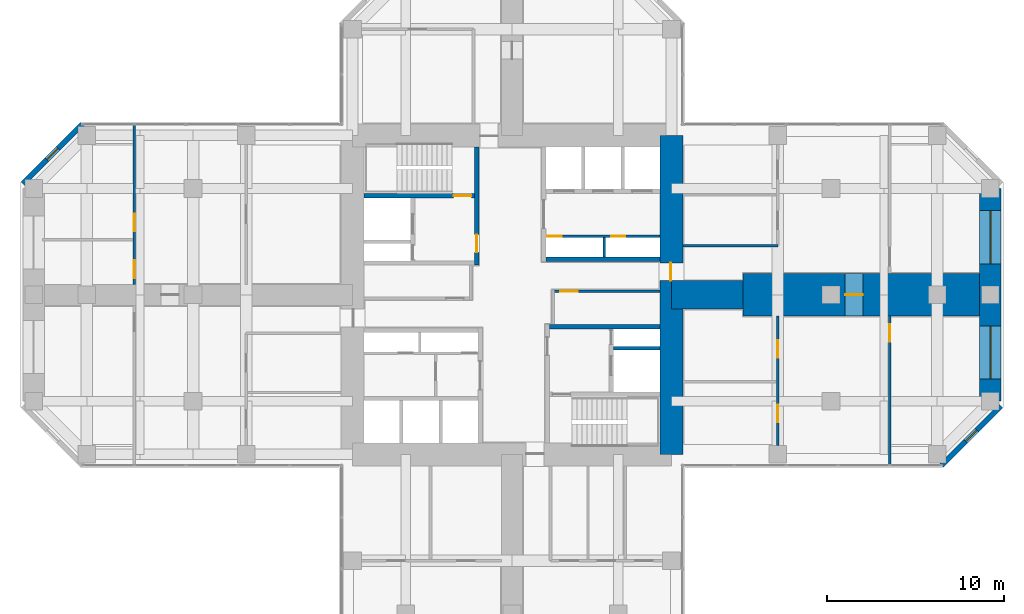
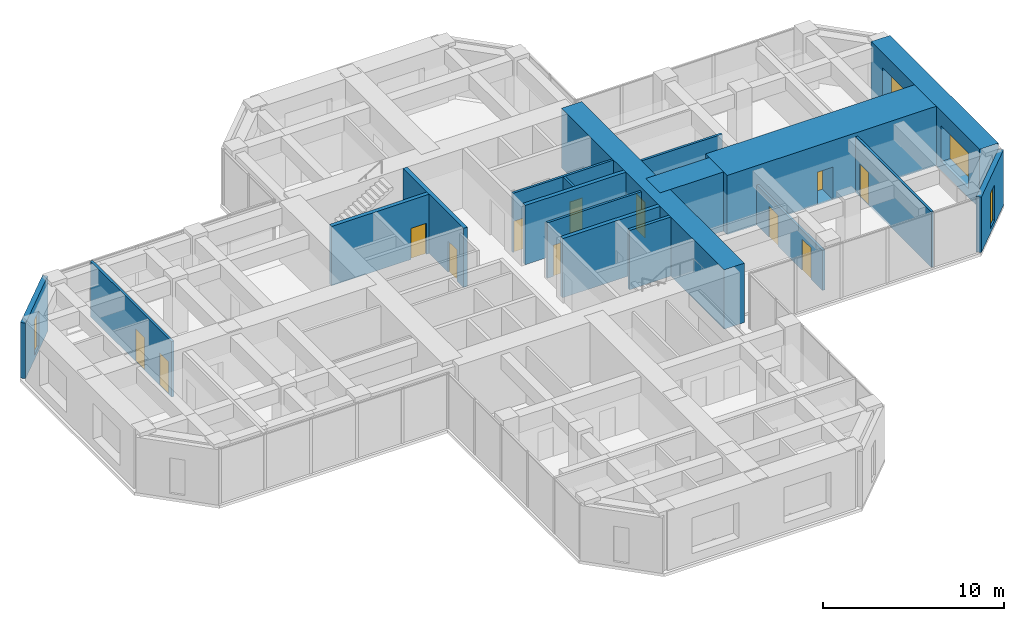
# One storey, part 10 of 13: 18 walls, 12 doors, 4 windows, 16 openings.
"""IFC4 building model written with IfcOpenShell, lengths in metres."""

import ifcopenshell
import ifcopenshell.guid

model = None  # the IFC model being written
_history = None  # IfcOwnerHistory: only IFC2X3 demands one
_inside = {}  # id of a spatial element -> (the spatial element, [elements in it])
_under = {}  # id of a project, library or spatial element -> (it, [spatial elements below it])
_declared = {}  # id of a project -> (the project, [libraries it declares])
_typed = {}  # id of a type object -> (the type object, [elements of that type])
_made_of = {}  # id of a material, layer set ... -> (it, [elements and type objects made of it])


def new_model(schema):
    """Start an empty IFC model of exactly this schema.

    Asked for "IFC4X3", IfcOpenShell would pick the latest addendum, in which some entities
    have other attributes; the version numbers below select the first issue.
    IFC2X3 requires an IfcOwnerHistory on every rooted entity: one is made here for all.
    """
    global model, _history
    if schema == "IFC4X3":
        model = ifcopenshell.file(schema_version=(4, 3, 0, 0))
    else:
        model = ifcopenshell.file(schema=schema)
    _inside.clear()
    _under.clear()
    _declared.clear()
    _typed.clear()
    _made_of.clear()
    _history = None
    if model.schema == "IFC2X3":
        org = make("IfcOrganization", Name="unknown")
        user = make(
            "IfcPersonAndOrganization",
            ThePerson=make("IfcPerson", FamilyName="unknown"),
            TheOrganization=org,
        )
        app = make(
            "IfcApplication",
            ApplicationDeveloper=org,
            Version="unknown",
            ApplicationFullName="unknown",
            ApplicationIdentifier="unknown",
        )
        _history = make(
            "IfcOwnerHistory",
            OwningUser=user,
            OwningApplication=app,
            ChangeAction="ADDED",
            CreationDate=0,
        )
    return model


def make(cls, **values):
    """One entity of the class cls with the attributes given. An attribute that is None is left unset."""
    return model.create_entity(
        cls, **{name: value for name, value in values.items() if value is not None}
    )


def rooted(cls, **values):
    """An entity with a GlobalId (a new one), such as an element, a storey or a relation."""
    return make(cls, GlobalId=ifcopenshell.guid.new(), OwnerHistory=_history, **values)


def si_unit(unit_type, name, prefix=None):
    """IfcSIUnit, for example si_unit("LENGTHUNIT", "METRE", prefix="MILLI")."""
    return make("IfcSIUnit", UnitType=unit_type, Prefix=prefix, Name=name)


def assignment(units):
    """IfcUnitAssignment: the units of a project."""
    return None if units is None else make("IfcUnitAssignment", Units=units)


def point(xyz):
    """IfcCartesianPoint."""
    return None if xyz is None else make("IfcCartesianPoint", Coordinates=xyz)


def direction(xyz):
    """IfcDirection."""
    return None if xyz is None else make("IfcDirection", DirectionRatios=xyz)


def frame(location, z_axis=None, x_axis=None):
    """IfcAxis2Placement3D, a coordinate frame: its origin and axes. An axis left out is left unset."""
    return make(
        "IfcAxis2Placement3D",
        Location=point(location),
        Axis=direction(z_axis),
        RefDirection=direction(x_axis),
    )


def frame_2d(location, x_axis=None):
    """IfcAxis2Placement2D, a coordinate frame in the plane: its origin and x axis."""
    return make(
        "IfcAxis2Placement2D", Location=point(location), RefDirection=direction(x_axis)
    )


def origin():
    """The frame at (0, 0, 0) with its axes left unset."""
    return frame((0.0, 0.0, 0.0))


def place(relative_to, where):
    """IfcLocalPlacement: puts the frame where relative to a parent placement (None: the world)."""
    return make(
        "IfcLocalPlacement", PlacementRelTo=relative_to, RelativePlacement=where
    )


def context(
    kind, dimensions, precision=None, world=None, true_north=None, identifier=None
):
    """IfcGeometricRepresentationContext, for example the 3D "Model" context."""
    return make(
        "IfcGeometricRepresentationContext",
        ContextIdentifier=identifier,
        ContextType=kind,
        CoordinateSpaceDimension=dimensions,
        Precision=precision,
        WorldCoordinateSystem=world,
        TrueNorth=true_north,
    )


def subcontext(parent, identifier, kind, view, scale=None):
    """IfcGeometricRepresentationSubContext, for example "Body" below "Model"."""
    return make(
        "IfcGeometricRepresentationSubContext",
        ContextIdentifier=identifier,
        ContextType=kind,
        ParentContext=parent,
        TargetScale=scale,
        TargetView=view,
    )


def project(units=None, contexts=None):
    """IfcProject with its units and contexts."""
    return rooted(
        "IfcProject",
        Name="project",
        RepresentationContexts=contexts,
        UnitsInContext=assignment(units),
    )


def spatial(cls, under=None, at=None, **own):
    """A site, building, storey or space (cls), placed at a placement, below another one or the project."""
    s = rooted(cls, ObjectPlacement=at, **own)
    if under is not None:
        _under.setdefault(under.id(), (under, []))[1].append(s)
    return s


def profile(cls, at=None, kind="AREA", **sizes):
    """A parametric profile (cls). Its sizes go by their IFC names, for example OverallWidth=200.0."""
    return make(cls, ProfileType=kind, Position=at, **sizes)


def rectangle(**sizes):
    """IfcRectangleProfileDef."""
    return profile("IfcRectangleProfileDef", **sizes)


def hollow_rectangle(**sizes):
    """IfcRectangleHollowProfileDef."""
    return profile("IfcRectangleHollowProfileDef", **sizes)


def extrude(swept, where, along, depth):
    """IfcExtrudedAreaSolid: the profile swept, set in the frame where, extruded along a direction by depth."""
    return make(
        "IfcExtrudedAreaSolid",
        SweptArea=swept,
        Position=where,
        ExtrudedDirection=direction(along),
        Depth=depth,
    )


def shape(context_of_items, identifier, shape_type, items):
    """IfcShapeRepresentation: the items that make up one representation, for example the "Body"."""
    return make(
        "IfcShapeRepresentation",
        ContextOfItems=context_of_items,
        RepresentationIdentifier=identifier,
        RepresentationType=shape_type,
        Items=items,
    )


def material(Name=None, Category=None):
    """IfcMaterial."""
    return make("IfcMaterial", Name=Name, Category=Category)


def layer(
    of_material, thickness, ventilated=None, Name=None, Category=None, Priority=None
):
    """IfcMaterialLayer: one layer of a wall or slab, of a material (None: an air gap)."""
    return make(
        "IfcMaterialLayer",
        Material=of_material,
        LayerThickness=thickness,
        IsVentilated=ventilated,
        Name=Name,
        Category=Category,
        Priority=Priority,
    )


def layer_set(layers, Name=None):
    """IfcMaterialLayerSet."""
    return make("IfcMaterialLayerSet", MaterialLayers=layers, LayerSetName=Name)


def constituent(of_material, Name=None, Category=None, fraction=None):
    """IfcMaterialConstituent: one of the materials an element consists of."""
    return make(
        "IfcMaterialConstituent",
        Name=Name,
        Material=of_material,
        Fraction=fraction,
        Category=Category,
    )


def constituent_set(constituents=None, Name=None):
    """IfcMaterialConstituentSet."""
    return make(
        "IfcMaterialConstituentSet", Name=Name, MaterialConstituents=constituents
    )


def made_of(thing, what):
    """Note that an element or type object is made of a material, layer set ...; save() writes the relation."""
    if what is not None:
        _made_of.setdefault(what.id(), (what, []))[1].append(thing)
    return thing


def type_object(cls, material=None, **own):
    """A type object (cls), such as IfcWallType, which elements share."""
    return made_of(rooted(cls, **own), material)


def element(
    cls,
    number,
    at=None,
    inside=None,
    cuts=None,
    type_object=None,
    material=None,
    context=None,
    identifier="Body",
    shape_type=None,
    held_by="IfcProductDefinitionShape",
    body=None,
    shapes=None,
    **own,
):
    """One element of the class cls, such as IfcWall. Its Tag is "e" and its number.

    at: its placement. inside: the storey or other place that contains it. cuts: it is an
    opening in that element (IfcRelVoidsElement). A single representation is given by context,
    identifier, shape_type and body (its items); several are given by shapes. held_by: the class
    of the entity that holds the representations. save() writes the other relations.
    """
    e = rooted(cls, Tag="e%d" % number, ObjectPlacement=at, **own)
    if body is not None:
        shapes = [shape(context, identifier, shape_type, body)]
    if shapes is not None:
        e.Representation = make(held_by, Representations=shapes)
    if inside is not None:
        _inside.setdefault(inside.id(), (inside, []))[1].append(e)
    if cuts is not None:
        rooted(
            "IfcRelVoidsElement", RelatingBuildingElement=cuts, RelatedOpeningElement=e
        )
    if type_object is not None:
        _typed.setdefault(type_object.id(), (type_object, []))[1].append(e)
    return made_of(e, material)


def fill(opening, filler):
    """IfcRelFillsElement: the door or window that sits in an opening."""
    return rooted(
        "IfcRelFillsElement",
        RelatingOpeningElement=opening,
        RelatedBuildingElement=filler,
    )


def aggregate(whole, parts):
    """IfcRelAggregates: a whole, such as a stair, and the parts it consists of."""
    return rooted("IfcRelAggregates", RelatingObject=whole, RelatedObjects=parts)


def save(model, path):
    """Write the relations noted so far, then the file.

    IfcRelAggregates (storeys below a building ...), IfcRelContainedInSpatialStructure (elements
    in a storey), IfcRelDefinesByType, IfcRelAssociatesMaterial and IfcRelDeclares: one each for
    every whole, place, type object, material and project.
    """
    for whole, parts in _under.values():
        aggregate(whole, parts)
    for where, things in _inside.values():
        rooted(
            "IfcRelContainedInSpatialStructure",
            RelatedElements=things,
            RelatingStructure=where,
        )
    for kind, things in _typed.values():
        rooted("IfcRelDefinesByType", RelatedObjects=things, RelatingType=kind)
    for what, things in _made_of.values():
        rooted("IfcRelAssociatesMaterial", RelatedObjects=things, RelatingMaterial=what)
    for by, libraries in _declared.values():
        rooted("IfcRelDeclares", RelatingContext=by, RelatedDefinitions=libraries)
    model.write(path)


model = new_model("IFC4")

# Units and contexts
model_context = context("Model", 3, precision=1e-05, world=origin(), true_north=direction((0.0, 1.0)))
body_context = subcontext(model_context, "Body", "Model", "MODEL_VIEW")
ifc_project = project(units=[si_unit("LENGTHUNIT", "METRE"), si_unit("AREAUNIT", "SQUARE_METRE"), si_unit("VOLUMEUNIT", "CUBIC_METRE"), si_unit("PLANEANGLEUNIT", "RADIAN"), si_unit("MASSUNIT", "GRAM", prefix="KILO")], contexts=[model_context])

# Site, building, storey
site_placement = place(None, origin())
site = spatial("IfcSite", under=ifc_project, at=site_placement, CompositionType="ELEMENT")
building_placement = place(site_placement, origin())
building = spatial("IfcBuilding", under=site, at=building_placement, Name="Torre Cruceta", CompositionType="ELEMENT")
storey_placement = place(building_placement, frame((0.0, 0.0, 160.5)))
storey = spatial("IfcBuildingStorey", under=building, at=storey_placement, Name="L39", CompositionType="ELEMENT", Elevation=160.5)

# Wall
ifc_material_1 = material(Name="Concrete G60 (fck 60 MPa)", Category="concrete")
ifc_layer_1 = layer(ifc_material_1, 0.25)
ifc_layer_set_1 = layer_set([ifc_layer_1], Name="Concrete G60 (fck 60 MPa)")
wall_type_1 = type_object("IfcWallType", Name="CORE INNER WALL 250 G60", PredefinedType="SHEAR", material=ifc_layer_set_1)
wall_1_placement = place(storey_placement, frame((1.925048828125, 2.0, 0.0), z_axis=(0.0, 0.0, 1.0), x_axis=(1.0, 0.0, 0.0)))
element("IfcWall", 1, at=wall_1_placement, inside=storey, type_object=wall_type_1, Name="CW4 L39 NE-CV", PredefinedType="SHEAR", context=body_context, shape_type="SweptSolid", body=[
    extrude(rectangle(XDim=6.425048828125, YDim=0.25, at=frame_2d((3.21240234375, 0.0))), origin(), (0.0, 0.0, 1.0), 4.0),
])

# Wall, opening, door
wall_2_placement = place(storey_placement, frame((-2.0, 1.675048828125, 0.0), z_axis=(0.0, 0.0, 1.0), x_axis=(0.0, 1.0, 0.0)))
wall_2 = element("IfcWall", 2, at=wall_2_placement, inside=storey, type_object=wall_type_1, Name="CW4 L39 NW-CU", PredefinedType="SHEAR", context=body_context, shape_type="SweptSolid", body=[
    extrude(rectangle(XDim=6.675048828125, YDim=0.25, at=frame_2d((3.33740234375, 0.0))), origin(), (0.0, 0.0, 1.0), 4.0),
])
opening_1_placement = place(wall_2_placement, frame((0.72509765625, 0.0, 0.0)))
opening_1 = element("IfcOpeningElement", 3, at=opening_1_placement, cuts=wall_2, Name="Opening D3", PredefinedType="OPENING", context=body_context, shape_type="SweptSolid", body=[
    extrude(rectangle(XDim=1.0, YDim=2.10009765625, at=frame_2d((0.5, 1.050048828125))), frame((0.0, 0.135009765625, 0.0), z_axis=(0.0, -1.0, 0.0), x_axis=(1.0, 0.0, 0.0)), (0.0, 0.0, 1.0), 0.27001953125),
])
ifc_material_2 = material(Name="Steel DX51D", Category="steel")
ifc_constituent_1 = constituent(ifc_material_2, Name="Leaf and frame")
ifc_material_3 = material(Name="Polyester powder coating", Category="paint")
ifc_constituent_2 = constituent(ifc_material_3, Name="Finish")
ifc_constituent_set_1 = constituent_set(constituents=[ifc_constituent_1, ifc_constituent_2], Name="Steel fire door")
door_type_1 = type_object("IfcDoorType", Name="FIRE DOOR 1000X2100", OperationType="SINGLE_SWING_LEFT", PredefinedType="DOOR", material=ifc_constituent_set_1)
door_1_placement = place(opening_1_placement, origin())
door_1 = element("IfcDoor", 4, at=door_1_placement, inside=storey, type_object=door_type_1, Name="D3 L39 NW-LOBBY", OperationType="SINGLE_SWING_LEFT", OverallHeight=2.10009765625, OverallWidth=1.0, PredefinedType="DOOR", context=body_context, shape_type="SweptSolid", body=[
    extrude(rectangle(XDim=1.0, YDim=2.10009765625, at=frame_2d((0.5, 1.050048828125))), frame((0.0, 0.02490234375, 0.0), z_axis=(0.0, -1.0, 0.0), x_axis=(1.0, 0.0, 0.0)), (0.0, 0.0, 1.0), 0.050048828125),
])
fill(opening_1, door_1)

wall_3_placement = place(storey_placement, frame((-2.125, 5.60009765625, 0.0), z_axis=(0.0, 0.0, 1.0), x_axis=(-1.0, 0.0, 0.0)))
wall_3 = element("IfcWall", 5, at=wall_3_placement, inside=storey, type_object=wall_type_1, Name="CW4 L39 NW-SV", PredefinedType="SHEAR", context=body_context, shape_type="SweptSolid", body=[
    extrude(rectangle(XDim=6.22509765625, YDim=0.25, at=frame_2d((3.112548828125, 0.0))), origin(), (0.0, 0.0, 1.0), 4.0),
])
opening_2_placement = place(wall_3_placement, frame((0.175048828125, 0.0, 0.0)))
opening_2 = element("IfcOpeningElement", 6, at=opening_2_placement, cuts=wall_3, Name="Opening D3", PredefinedType="OPENING", context=body_context, shape_type="SweptSolid", body=[
    extrude(rectangle(XDim=1.0, YDim=2.10009765625, at=frame_2d((0.5, 1.050048828125))), frame((0.0, 0.135009765625, 0.0), z_axis=(0.0, -1.0, 0.0), x_axis=(1.0, 0.0, 0.0)), (0.0, 0.0, 1.0), 0.27001953125),
])
door_2_placement = place(opening_2_placement, frame((1.0, 0.0, 0.0), z_axis=(0.0, 0.0, 1.0), x_axis=(-1.0, 0.0, 0.0)))
door_2 = element("IfcDoor", 7, at=door_2_placement, inside=storey, type_object=door_type_1, Name="D3 L39 NW-STAIR", OperationType="SINGLE_SWING_RIGHT", OverallHeight=2.10009765625, OverallWidth=1.0, PredefinedType="DOOR", context=body_context, shape_type="SweptSolid", body=[
    extrude(rectangle(XDim=1.0, YDim=2.10009765625, at=frame_2d((0.5, 1.050048828125))), frame((0.0, 0.025146484375, 0.0), z_axis=(0.0, -1.0, 0.0), x_axis=(1.0, 0.0, 0.0)), (0.0, 0.0, 1.0), 0.050048828125),
])
fill(opening_2, door_2)

# Wall
wall_4_placement = place(storey_placement, frame((2.125, -1.800048828125, 0.0), z_axis=(0.0, 0.0, 1.0), x_axis=(1.0, 0.0, 0.0)))
element("IfcWall", 8, at=wall_4_placement, inside=storey, type_object=wall_type_1, Name="CW4 L39 SE-CV", PredefinedType="SHEAR", context=body_context, shape_type="SweptSolid", body=[
    extrude(rectangle(XDim=6.22509765625, YDim=0.25, at=frame_2d((3.112548828125, 0.0))), origin(), (0.0, 0.0, 1.0), 4.0),
])

# Wall, opening, door
ifc_material_4 = material(Name="Concrete G60 (fck 60 MPa)", Category="concrete")
ifc_layer_2 = layer(ifc_material_4, 1.300048828125)
ifc_layer_set_2 = layer_set([ifc_layer_2], Name="Concrete G60 (fck 60 MPa)")
wall_type_2 = type_object("IfcWallType", Name="CORE WALL 1300 G60", PredefinedType="SHEAR", material=ifc_layer_set_2)
wall_5_placement = place(storey_placement, frame((9.0, -9.0, 0.0), z_axis=(0.0, 0.0, 1.0), x_axis=(0.0, 1.0, 0.0)))
wall_5 = element("IfcWall", 9, at=wall_5_placement, inside=storey, type_object=wall_type_2, Name="CW1 L39 CW-E", PredefinedType="SHEAR", context=body_context, shape_type="SweptSolid", body=[
    extrude(rectangle(XDim=18.0, YDim=1.300048828125, at=frame_2d((9.0, 0.0))), origin(), (0.0, 0.0, 1.0), 4.0),
])
opening_3_placement = place(wall_5_placement, frame((9.800048828125, 0.0, 0.0)))
opening_3 = element("IfcOpeningElement", 10, at=opening_3_placement, cuts=wall_5, Name="Opening D4", PredefinedType="OPENING", context=body_context, shape_type="SweptSolid", body=[
    extrude(rectangle(XDim=1.0, YDim=2.39990234375, at=frame_2d((0.5, 1.199951171875))), frame((0.0, 0.659912109375, 0.0), z_axis=(0.0, -1.0, 0.0), x_axis=(1.0, 0.0, 0.0)), (0.0, 0.0, 1.0), 1.320068359375),
])
ifc_material_5 = material(Name="Steel DX51D", Category="steel")
ifc_constituent_3 = constituent(ifc_material_5, Name="Leaf and frame")
ifc_material_6 = material(Name="Polyester powder coating", Category="paint")
ifc_constituent_4 = constituent(ifc_material_6, Name="Finish")
ifc_constituent_set_2 = constituent_set(constituents=[ifc_constituent_3, ifc_constituent_4], Name="Steel fire door")
door_type_2 = type_object("IfcDoorType", Name="CORE ARM DOOR 1000X2400", OperationType="SINGLE_SWING_RIGHT", PredefinedType="DOOR", material=ifc_constituent_set_2)
door_3_placement = place(opening_3_placement, frame((1.0, 0.0, 0.0), z_axis=(0.0, 0.0, 1.0), x_axis=(-1.0, 0.0, 0.0)))
door_3 = element("IfcDoor", 11, at=door_3_placement, inside=storey, type_object=door_type_2, Name="D4 L39 CW-E", OperationType="SINGLE_SWING_RIGHT", OverallHeight=2.39990234375, OverallWidth=1.0, PredefinedType="DOOR", context=body_context, shape_type="SweptSolid", body=[
    extrude(rectangle(XDim=1.0, YDim=2.39990234375, at=frame_2d((0.5, 1.199951171875))), frame((0.0, -0.005126953125, 0.0), z_axis=(0.0, -1.0, 0.0), x_axis=(1.0, 0.0, 0.0)), (0.0, 0.0, 1.0), 0.050048828125),
])
fill(opening_3, door_3)

# Wall, opening, window
ifc_material_7 = material(Name="Concrete G30 (fck 30 MPa)", Category="concrete")
ifc_layer_3 = layer(ifc_material_7, 0.300048828125)
ifc_layer_set_3 = layer_set([ifc_layer_3], Name="Concrete G30 (fck 30 MPa)")
wall_type_3 = type_object("IfcWallType", Name="EXPOSED CONCRETE FACADE WALL 300", PredefinedType="SOLIDWALL", material=ifc_layer_set_3)
wall_6_placement = place(storey_placement, frame((24.2568359375, -9.6201171875, 0.0), z_axis=(0.0, 0.0, 1.0), x_axis=(0.707106781187, 0.707106781187, 0.0)))
wall_6 = element("IfcWall", 12, at=wall_6_placement, inside=storey, type_object=wall_type_3, Name="EW1 facade wall L39 E chamfer 01", PredefinedType="SOLIDWALL", context=body_context, shape_type="SweptSolid", body=[
    extrude(rectangle(XDim=4.72802734375, YDim=0.300048828125, at=frame_2d((2.364013671875, 0.0))), origin(), (0.0, 0.0, 1.0), 3.75),
])
opening_4_placement = place(wall_6_placement, frame((1.9140625, 0.0, 0.300048828125)))
opening_4 = element("IfcOpeningElement", 13, at=opening_4_placement, cuts=wall_6, Name="Opening WN5", PredefinedType="OPENING", context=body_context, shape_type="SweptSolid", body=[
    extrude(rectangle(XDim=0.89990234375, YDim=2.39990234375, at=frame_2d((0.449951171875, 1.199951171875))), frame((0.0, 0.159912109375, 0.0), z_axis=(0.0, -1.0, 0.0), x_axis=(1.0, 0.0, 0.0)), (0.0, 0.0, 1.0), 0.320068359375),
])
ifc_material_8 = material(Name="Aluminium window frame", Category="aluminium")
ifc_constituent_5 = constituent(ifc_material_8, Name="Frame")
ifc_material_9 = material(Name="Laminated insulating glass unit, low-iron clear", Category="glass")
ifc_constituent_6 = constituent(ifc_material_9, Name="Glazing")
ifc_constituent_set_3 = constituent_set(constituents=[ifc_constituent_5, ifc_constituent_6], Name="Aluminium window")
window_type_1 = type_object("IfcWindowType", Name="CHAMFER SLOT WINDOW 900X2400", PartitioningType="SINGLE_PANEL", PredefinedType="WINDOW", material=ifc_constituent_set_3)
window_1_placement = place(opening_4_placement, origin())
window_1 = element("IfcWindow", 14, at=window_1_placement, inside=storey, type_object=window_type_1, Name="WN5 L39 E 1", OverallHeight=2.39990234375, OverallWidth=0.89990234375, PartitioningType="SINGLE_PANEL", PredefinedType="WINDOW", context=body_context, shape_type="SweptSolid", body=[
    extrude(hollow_rectangle(XDim=0.89990234375, YDim=2.39990234375, WallThickness=0.06005859375, at=frame_2d((0.449951171875, 1.199951171875))), frame((0.0, 0.030029296875, 0.0), z_axis=(0.0, -1.0, 0.0), x_axis=(1.0, 0.0, 0.0)), (0.0, 0.0, 1.0), 0.06005859375),
    extrude(rectangle(XDim=0.77880859375, YDim=2.27880859375, at=frame_2d((0.449951171875, 1.199951171875))), frame((0.0, 0.030029296875, 0.0), z_axis=(0.0, -1.0, 0.0), x_axis=(1.0, 0.0, 0.0)), (0.0, 0.0, 1.0), 0.06005859375),
])
fill(opening_4, window_1)

wall_7_placement = place(storey_placement, frame((-24.2568359375, 9.6201171875, 0.0), z_axis=(0.0, 0.0, 1.0), x_axis=(-0.707106781187, -0.707106781187, 0.0)))
wall_7 = element("IfcWall", 15, at=wall_7_placement, inside=storey, type_object=wall_type_3, Name="EW1 facade wall L39 W chamfer 11", PredefinedType="SOLIDWALL", context=body_context, shape_type="SweptSolid", body=[
    extrude(rectangle(XDim=4.72802734375, YDim=0.300048828125, at=frame_2d((2.364013671875, 0.0))), origin(), (0.0, 0.0, 1.0), 3.75),
])
opening_5_placement = place(wall_7_placement, frame((1.9140625, 0.0, 0.300048828125)))
opening_5 = element("IfcOpeningElement", 16, at=opening_5_placement, cuts=wall_7, Name="Opening WN5", PredefinedType="OPENING", context=body_context, shape_type="SweptSolid", body=[
    extrude(rectangle(XDim=0.89990234375, YDim=2.39990234375, at=frame_2d((0.449951171875, 1.199951171875))), frame((0.0, 0.159912109375, 0.0), z_axis=(0.0, -1.0, 0.0), x_axis=(1.0, 0.0, 0.0)), (0.0, 0.0, 1.0), 0.320068359375),
])
window_2_placement = place(opening_5_placement, origin())
window_2 = element("IfcWindow", 17, at=window_2_placement, inside=storey, type_object=window_type_1, Name="WN5 L39 W 1", OverallHeight=2.39990234375, OverallWidth=0.89990234375, PartitioningType="SINGLE_PANEL", PredefinedType="WINDOW", context=body_context, shape_type="SweptSolid", body=[
    extrude(hollow_rectangle(XDim=0.89990234375, YDim=2.39990234375, WallThickness=0.06005859375, at=frame_2d((0.449951171875, 1.199951171875))), frame((0.0, 0.030029296875, 0.0), z_axis=(0.0, -1.0, 0.0), x_axis=(1.0, 0.0, 0.0)), (0.0, 0.0, 1.0), 0.06005859375),
    extrude(rectangle(XDim=0.77880859375, YDim=2.27880859375, at=frame_2d((0.449951171875, 1.199951171875))), frame((0.0, 0.030029296875, 0.0), z_axis=(0.0, -1.0, 0.0), x_axis=(1.0, 0.0, 0.0)), (0.0, 0.0, 1.0), 0.06005859375),
])
fill(opening_5, window_2)

# Wall
ifc_material_10 = material(Name="Concrete G35 (fck 35 MPa)", Category="concrete")
ifc_layer_4 = layer(ifc_material_10, 0.199951171875)
ifc_layer_set_4 = layer_set([ifc_layer_4], Name="Concrete G35 (fck 35 MPa)")
wall_type_4 = type_object("IfcWallType", Name="LIFT SHAFT WALL 200", PredefinedType="PARTITIONING", material=ifc_layer_set_4)
wall_8_placement = place(storey_placement, frame((5.72509765625, -3.0, 0.0), z_axis=(0.0, 0.0, 1.0), x_axis=(1.0, 0.0, 0.0)))
element("IfcWall", 18, at=wall_8_placement, inside=storey, type_object=wall_type_4, Name="SW1 L39 SE-FR", PredefinedType="PARTITIONING", context=body_context, shape_type="SweptSolid", body=[
    extrude(rectangle(XDim=2.625, YDim=0.199951171875, at=frame_2d((1.3125, 0.0))), origin(), (0.0, 0.0, 1.0), 4.0),
])

# Wall, openings, windows
ifc_material_11 = material(Name="Concrete G60 (fck 60 MPa)", Category="concrete")
ifc_layer_5 = layer(ifc_material_11, 1.199951171875)
ifc_layer_set_5 = layer_set([ifc_layer_5], Name="Concrete G60 (fck 60 MPa)")
wall_type_5 = type_object("IfcWallType", Name="NOSE WALL 1200 G60", PredefinedType="SHEAR", material=ifc_layer_set_5)
wall_9_placement = place(storey_placement, frame((27.0, -6.0, 0.0), z_axis=(0.0, 0.0, 1.0), x_axis=(0.0, 1.0, 0.0)))
wall_9 = element("IfcWall", 19, at=wall_9_placement, inside=storey, type_object=wall_type_5, Name="NW1 nose wall L39 E", PredefinedType="SHEAR", context=body_context, shape_type="SweptSolid", body=[
    extrude(rectangle(XDim=12.0, YDim=1.199951171875, at=frame_2d((6.0, 0.0))), origin(), (0.0, 0.0, 1.0), 4.0),
])
opening_6_placement = place(wall_9_placement, frame((1.25, 0.0, 0.60009765625)))
opening_6 = element("IfcOpeningElement", 20, at=opening_6_placement, cuts=wall_9, Name="Opening WN6", PredefinedType="OPENING", context=body_context, shape_type="SweptSolid", body=[
    extrude(rectangle(XDim=3.0, YDim=2.39990234375, at=frame_2d((1.5, 1.199951171875))), frame((0.0, 0.60986328125, 0.0), z_axis=(0.0, -1.0, 0.0), x_axis=(1.0, 0.0, 0.0)), (0.0, 0.0, 1.0), 1.219970703125),
])
opening_7_placement = place(wall_9_placement, frame((7.75, 0.0, 0.60009765625)))
opening_7 = element("IfcOpeningElement", 21, at=opening_7_placement, cuts=wall_9, Name="Opening WN6", PredefinedType="OPENING", context=body_context, shape_type="SweptSolid", body=[
    extrude(rectangle(XDim=3.0, YDim=2.39990234375, at=frame_2d((1.5, 1.199951171875))), frame((0.0, 0.60986328125, 0.0), z_axis=(0.0, -1.0, 0.0), x_axis=(1.0, 0.0, 0.0)), (0.0, 0.0, 1.0), 1.219970703125),
])
ifc_material_12 = material(Name="Aluminium window frame", Category="aluminium")
ifc_constituent_7 = constituent(ifc_material_12, Name="Frame")
ifc_material_13 = material(Name="Laminated insulating glass unit, low-iron clear", Category="glass")
ifc_constituent_8 = constituent(ifc_material_13, Name="Glazing")
ifc_constituent_set_4 = constituent_set(constituents=[ifc_constituent_7, ifc_constituent_8], Name="Aluminium window")
window_type_2 = type_object("IfcWindowType", Name="NOSE WALL WINDOW 3000X2400", PartitioningType="SINGLE_PANEL", PredefinedType="WINDOW", material=ifc_constituent_set_4)
window_3_placement = place(opening_6_placement, origin())
window_3 = element("IfcWindow", 22, at=window_3_placement, inside=storey, type_object=window_type_2, Name="WN6 L39 E 1", OverallHeight=2.39990234375, OverallWidth=3.0, PartitioningType="SINGLE_PANEL", PredefinedType="WINDOW", context=body_context, shape_type="SweptSolid", body=[
    extrude(hollow_rectangle(XDim=3.0, YDim=2.39990234375, WallThickness=0.06005859375, at=frame_2d((1.5, 1.199951171875))), frame((0.0, 0.030029296875, 0.0), z_axis=(0.0, -1.0, 0.0), x_axis=(1.0, 0.0, 0.0)), (0.0, 0.0, 1.0), 0.06005859375),
    extrude(rectangle(XDim=2.87890625, YDim=2.27880859375, at=frame_2d((1.5, 1.199951171875))), frame((0.0, 0.030029296875, 0.0), z_axis=(0.0, -1.0, 0.0), x_axis=(1.0, 0.0, 0.0)), (0.0, 0.0, 1.0), 0.06005859375),
])
fill(opening_6, window_3)
window_4_placement = place(opening_7_placement, origin())
window_4 = element("IfcWindow", 23, at=window_4_placement, inside=storey, type_object=window_type_2, Name="WN6 L39 E 2", OverallHeight=2.39990234375, OverallWidth=3.0, PartitioningType="SINGLE_PANEL", PredefinedType="WINDOW", context=body_context, shape_type="SweptSolid", body=[
    extrude(hollow_rectangle(XDim=3.0, YDim=2.39990234375, WallThickness=0.06005859375, at=frame_2d((1.5, 1.199951171875))), frame((0.0, 0.030029296875, 0.0), z_axis=(0.0, -1.0, 0.0), x_axis=(1.0, 0.0, 0.0)), (0.0, 0.0, 1.0), 0.06005859375),
    extrude(rectangle(XDim=2.87890625, YDim=2.27880859375, at=frame_2d((1.5, 1.199951171875))), frame((0.0, 0.030029296875, 0.0), z_axis=(0.0, -1.0, 0.0), x_axis=(1.0, 0.0, 0.0)), (0.0, 0.0, 1.0), 0.06005859375),
])
fill(opening_7, window_4)

# Wall, opening, door
ifc_material_14 = material(Name="Plasterboard on steel studs", Category="steel")
ifc_layer_6 = layer(ifc_material_14, 0.14990234375)
ifc_layer_set_6 = layer_set([ifc_layer_6], Name="Plasterboard on steel studs")
wall_type_6 = type_object("IfcWallType", Name="PARTITION 150", PredefinedType="PARTITIONING", material=ifc_layer_set_6)
wall_10_placement = place(storey_placement, frame((2.324951171875, 0.199951171875, 0.0), z_axis=(0.0, 0.0, 1.0), x_axis=(1.0, 0.0, 0.0)))
wall_10 = element("IfcWall", 24, at=wall_10_placement, inside=storey, type_object=wall_type_6, Name="PT1 L39-CORE-LEGE-S-W1", PredefinedType="PARTITIONING", context=body_context, shape_type="SweptSolid", body=[
    extrude(rectangle(XDim=6.025146484375, YDim=0.14990234375, at=frame_2d((3.0126953125, 0.0))), origin(), (0.0, 0.0, 1.0), 3.75),
])
opening_8_placement = place(wall_10_placement, frame((0.39990234375, 0.0, 0.0)))
opening_8 = element("IfcOpeningElement", 25, at=opening_8_placement, cuts=wall_10, Name="Opening D3", PredefinedType="OPENING", context=body_context, shape_type="SweptSolid", body=[
    extrude(rectangle(XDim=1.0, YDim=2.10009765625, at=frame_2d((0.5, 1.050048828125))), frame((0.0, 0.0849609375, 0.0), z_axis=(0.0, -1.0, 0.0), x_axis=(1.0, 0.0, 0.0)), (0.0, 0.0, 1.0), 0.169921875),
])
door_4_placement = place(opening_8_placement, frame((1.0, 0.0, 0.0), z_axis=(0.0, 0.0, 1.0), x_axis=(-1.0, 0.0, 0.0)))
door_4 = element("IfcDoor", 26, at=door_4_placement, inside=storey, type_object=door_type_1, Name="D3 L39-CORE-LEGE-S-W1-D1", OperationType="SINGLE_SWING_RIGHT", OverallHeight=2.10009765625, OverallWidth=1.0, PredefinedType="DOOR", context=body_context, shape_type="SweptSolid", body=[
    extrude(rectangle(XDim=1.0, YDim=2.10009765625, at=frame_2d((0.5, 1.050048828125))), frame((0.0, 0.025146484375, 0.0), z_axis=(0.0, -1.0, 0.0), x_axis=(1.0, 0.0, 0.0)), (0.0, 0.0, 1.0), 0.050048828125),
])
fill(opening_8, door_4)

# Wall
wall_11_placement = place(storey_placement, frame((9.64990234375, 2.77490234375, 0.0), z_axis=(0.0, 0.0, 1.0), x_axis=(1.0, 0.0, 0.0)))
element("IfcWall", 27, at=wall_11_placement, inside=storey, type_object=wall_type_6, Name="PT1 L39-E-BSL", PredefinedType="PARTITIONING", context=body_context, shape_type="SweptSolid", body=[
    extrude(rectangle(XDim=5.35009765625, YDim=0.14990234375, at=frame_2d((2.675048828125, 0.0))), origin(), (0.0, 0.0, 1.0), 3.75),
])

# Wall, openings, doors
wall_12_placement = place(storey_placement, frame((15.0, -8.5, 0.0), z_axis=(0.0, 0.0, 1.0), x_axis=(0.0, 1.0, 0.0)))
wall_12 = element("IfcWall", 28, at=wall_12_placement, inside=storey, type_object=wall_type_6, Name="PT1 L39-E-BFR", PredefinedType="PARTITIONING", context=body_context, shape_type="SweptSolid", body=[
    extrude(rectangle(XDim=7.300048828125, YDim=0.14990234375, at=frame_2d((3.64990234375, 0.0))), origin(), (0.0, 0.0, 1.0), 2.699951171875),
])
opening_9_placement = place(wall_12_placement, frame((1.300048828125, 0.0, 0.0)))
opening_9 = element("IfcOpeningElement", 29, at=opening_9_placement, cuts=wall_12, Name="Opening D3", PredefinedType="OPENING", context=body_context, shape_type="SweptSolid", body=[
    extrude(rectangle(XDim=1.0, YDim=2.10009765625, at=frame_2d((0.5, 1.050048828125))), frame((0.0, 0.0849609375, 0.0), z_axis=(0.0, -1.0, 0.0), x_axis=(1.0, 0.0, 0.0)), (0.0, 0.0, 1.0), 0.169921875),
])
opening_10_placement = place(wall_12_placement, frame((4.949951171875, 0.0, 0.0)))
opening_10 = element("IfcOpeningElement", 30, at=opening_10_placement, cuts=wall_12, Name="Opening D3", PredefinedType="OPENING", context=body_context, shape_type="SweptSolid", body=[
    extrude(rectangle(XDim=1.0, YDim=2.10009765625, at=frame_2d((0.5, 1.050048828125))), frame((0.0, 0.0849609375, 0.0), z_axis=(0.0, -1.0, 0.0), x_axis=(1.0, 0.0, 0.0)), (0.0, 0.0, 1.0), 0.169921875),
])
door_5_placement = place(opening_9_placement, origin())
door_5 = element("IfcDoor", 31, at=door_5_placement, inside=storey, type_object=door_type_1, Name="D3 L39-E-BFR-D1", OperationType="SINGLE_SWING_RIGHT", OverallHeight=2.10009765625, OverallWidth=1.0, PredefinedType="DOOR", context=body_context, shape_type="SweptSolid", body=[
    extrude(rectangle(XDim=1.0, YDim=2.10009765625, at=frame_2d((0.5, 1.050048828125))), frame((0.0, 0.02490234375, 0.0), z_axis=(0.0, -1.0, 0.0), x_axis=(1.0, 0.0, 0.0)), (0.0, 0.0, 1.0), 0.050048828125),
])
fill(opening_9, door_5)
door_6_placement = place(opening_10_placement, origin())
door_6 = element("IfcDoor", 32, at=door_6_placement, inside=storey, type_object=door_type_1, Name="D3 L39-E-BFR-D2", OperationType="SINGLE_SWING_LEFT", OverallHeight=2.10009765625, OverallWidth=1.0, PredefinedType="DOOR", context=body_context, shape_type="SweptSolid", body=[
    extrude(rectangle(XDim=1.0, YDim=2.10009765625, at=frame_2d((0.5, 1.050048828125))), frame((0.0, 0.02490234375, 0.0), z_axis=(0.0, -1.0, 0.0), x_axis=(1.0, 0.0, 0.0)), (0.0, 0.0, 1.0), 0.050048828125),
])
fill(opening_10, door_6)

# Wall, opening, door
wall_13_placement = place(storey_placement, frame((21.320068359375, -9.580078125, 0.0), z_axis=(0.0, 0.0, 1.0), x_axis=(0.0, 1.0, 0.0)))
wall_13 = element("IfcWall", 33, at=wall_13_placement, inside=storey, type_object=wall_type_6, Name="PT1 L39-E-TWR", PredefinedType="PARTITIONING", context=body_context, shape_type="SweptSolid", body=[
    extrude(rectangle(XDim=8.380126953125, YDim=0.14990234375, at=frame_2d((4.18994140625, 0.0))), origin(), (0.0, 0.0, 1.0), 3.75),
])
opening_11_placement = place(wall_13_placement, frame((6.929931640625, 0.0, 0.0)))
opening_11 = element("IfcOpeningElement", 34, at=opening_11_placement, cuts=wall_13, Name="Opening D14", PredefinedType="OPENING", context=body_context, shape_type="SweptSolid", body=[
    extrude(rectangle(XDim=1.0, YDim=2.199951171875, at=frame_2d((0.5, 1.10009765625))), frame((0.0, 0.0849609375, 0.0), z_axis=(0.0, -1.0, 0.0), x_axis=(1.0, 0.0, 0.0)), (0.0, 0.0, 1.0), 0.169921875),
])
ifc_material_15 = material(Name="Steel DX51D", Category="steel")
ifc_constituent_9 = constituent(ifc_material_15, Name="Leaf and frame")
ifc_material_16 = material(Name="Polyester powder coating", Category="paint")
ifc_constituent_10 = constituent(ifc_material_16, Name="Finish")
ifc_material_17 = material(Name="Fire-resisting glass", Category="glass")
ifc_constituent_11 = constituent(ifc_material_17, Name="Vision panel")
ifc_constituent_set_5 = constituent_set(constituents=[ifc_constituent_9, ifc_constituent_10, ifc_constituent_11], Name="Steel fire door with vision panel")
door_type_3 = type_object("IfcDoorType", Name="FIRE DOOR VISION PANEL 1000X2200", OperationType="SINGLE_SWING_RIGHT", PredefinedType="DOOR", material=ifc_constituent_set_5)
door_7_placement = place(opening_11_placement, frame((1.0, 0.0, 0.0), z_axis=(0.0, 0.0, 1.0), x_axis=(-1.0, 0.0, 0.0)))
door_7 = element("IfcDoor", 35, at=door_7_placement, inside=storey, type_object=door_type_3, Name="D14 L39-E-TWR-D1", OperationType="SINGLE_SWING_LEFT", OverallHeight=2.199951171875, OverallWidth=1.0, PredefinedType="DOOR", context=body_context, shape_type="SweptSolid", body=[
    extrude(rectangle(XDim=1.0, YDim=2.199951171875, at=frame_2d((0.5, 1.10009765625))), frame((0.0, 0.025146484375, 0.0), z_axis=(0.0, -1.0, 0.0), x_axis=(1.0, 0.0, 0.0)), (0.0, 0.0, 1.0), 0.050048828125),
])
fill(opening_11, door_7)

# Wall, openings, doors
wall_14_placement = place(storey_placement, frame((-21.320068359375, 9.580078125, 0.0), z_axis=(0.0, 0.0, 1.0), x_axis=(0.0, -1.0, 0.0)))
wall_14 = element("IfcWall", 36, at=wall_14_placement, inside=storey, type_object=wall_type_6, Name="PT1 L39-W-TWR", PredefinedType="PARTITIONING", context=body_context, shape_type="SweptSolid", body=[
    extrude(rectangle(XDim=8.97998046875, YDim=0.14990234375, at=frame_2d((4.489990234375, 0.0))), origin(), (0.0, 0.0, 1.0), 3.75),
])
opening_12_placement = place(wall_14_placement, frame((4.987060546875, 0.0, 0.0)))
opening_12 = element("IfcOpeningElement", 37, at=opening_12_placement, cuts=wall_14, Name="Opening D14", PredefinedType="OPENING", context=body_context, shape_type="SweptSolid", body=[
    extrude(rectangle(XDim=1.0, YDim=2.199951171875, at=frame_2d((0.5, 1.10009765625))), frame((0.0, 0.0849609375, 0.0), z_axis=(0.0, -1.0, 0.0), x_axis=(1.0, 0.0, 0.0)), (0.0, 0.0, 1.0), 0.169921875),
])
opening_13_placement = place(wall_14_placement, frame((7.6298828125, 0.0, 0.0)))
opening_13 = element("IfcOpeningElement", 38, at=opening_13_placement, cuts=wall_14, Name="Opening D14", PredefinedType="OPENING", context=body_context, shape_type="SweptSolid", body=[
    extrude(rectangle(XDim=1.0, YDim=2.199951171875, at=frame_2d((0.5, 1.10009765625))), frame((0.0, 0.0849609375, 0.0), z_axis=(0.0, -1.0, 0.0), x_axis=(1.0, 0.0, 0.0)), (0.0, 0.0, 1.0), 0.169921875),
])
door_8_placement = place(opening_12_placement, frame((1.0, 0.0, 0.0), z_axis=(0.0, 0.0, 1.0), x_axis=(-1.0, 0.0, 0.0)))
door_8 = element("IfcDoor", 39, at=door_8_placement, inside=storey, type_object=door_type_3, Name="D14 L39-W-TWR-D1", OperationType="SINGLE_SWING_LEFT", OverallHeight=2.199951171875, OverallWidth=1.0, PredefinedType="DOOR", context=body_context, shape_type="SweptSolid", body=[
    extrude(rectangle(XDim=1.0, YDim=2.199951171875, at=frame_2d((0.5, 1.10009765625))), frame((0.0, 0.025146484375, 0.0), z_axis=(0.0, -1.0, 0.0), x_axis=(1.0, 0.0, 0.0)), (0.0, 0.0, 1.0), 0.050048828125),
])
fill(opening_12, door_8)
door_9_placement = place(opening_13_placement, frame((1.0, 0.0, 0.0), z_axis=(0.0, 0.0, 1.0), x_axis=(-1.0, 0.0, 0.0)))
door_9 = element("IfcDoor", 40, at=door_9_placement, inside=storey, type_object=door_type_3, Name="D14 L39-W-TWR-D2", OperationType="SINGLE_SWING_LEFT", OverallHeight=2.199951171875, OverallWidth=1.0, PredefinedType="DOOR", context=body_context, shape_type="SweptSolid", body=[
    extrude(rectangle(XDim=1.0, YDim=2.199951171875, at=frame_2d((0.5, 1.10009765625))), frame((0.0, 0.025146484375, 0.0), z_axis=(0.0, -1.0, 0.0), x_axis=(1.0, 0.0, 0.0)), (0.0, 0.0, 1.0), 0.050048828125),
])
fill(opening_13, door_9)

ifc_material_18 = material(Name="Concrete block masonry", Category="masonry")
ifc_layer_7 = layer(ifc_material_18, 0.14990234375)
ifc_layer_set_7 = layer_set([ifc_layer_7], Name="Concrete block masonry")
wall_type_7 = type_object("IfcWallType", Name="RISER WALL 150", PredefinedType="PARTITIONING", material=ifc_layer_set_7)
wall_15_placement = place(storey_placement, frame((1.925048828125, 3.300048828125, 0.0), z_axis=(0.0, 0.0, 1.0), x_axis=(1.0, 0.0, 0.0)))
wall_15 = element("IfcWall", 41, at=wall_15_placement, inside=storey, type_object=wall_type_7, Name="SW7 L39 NE-RV", PredefinedType="PARTITIONING", context=body_context, shape_type="SweptSolid", body=[
    extrude(rectangle(XDim=6.425048828125, YDim=0.14990234375, at=frame_2d((3.21240234375, 0.0))), origin(), (0.0, 0.0, 1.0), 4.0),
])
opening_14_placement = place(wall_15_placement, frame((0.074951171875, 0.0, 0.0)))
opening_14 = element("IfcOpeningElement", 42, at=opening_14_placement, cuts=wall_15, Name="Opening D5", PredefinedType="OPENING", context=body_context, shape_type="SweptSolid", body=[
    extrude(rectangle(XDim=0.800048828125, YDim=2.10009765625, at=frame_2d((0.39990234375, 1.050048828125))), frame((0.0, 0.0849609375, 0.0), z_axis=(0.0, -1.0, 0.0), x_axis=(1.0, 0.0, 0.0)), (0.0, 0.0, 1.0), 0.169921875),
])
opening_15_placement = place(wall_15_placement, frame((3.675048828125, 0.0, 0.0)))
opening_15 = element("IfcOpeningElement", 43, at=opening_15_placement, cuts=wall_15, Name="Opening D5", PredefinedType="OPENING", context=body_context, shape_type="SweptSolid", body=[
    extrude(rectangle(XDim=0.800048828125, YDim=2.10009765625, at=frame_2d((0.39990234375, 1.050048828125))), frame((0.0, 0.0849609375, 0.0), z_axis=(0.0, -1.0, 0.0), x_axis=(1.0, 0.0, 0.0)), (0.0, 0.0, 1.0), 0.169921875),
])
ifc_material_19 = material(Name="Steel DX51D", Category="steel")
ifc_constituent_12 = constituent(ifc_material_19, Name="Leaf and frame")
ifc_material_20 = material(Name="Polyester powder coating", Category="paint")
ifc_constituent_13 = constituent(ifc_material_20, Name="Finish")
ifc_constituent_set_6 = constituent_set(constituents=[ifc_constituent_12, ifc_constituent_13], Name="Steel fire door")
door_type_4 = type_object("IfcDoorType", Name="RISER ACCESS DOOR 800X2100", OperationType="SINGLE_SWING_LEFT", PredefinedType="DOOR", material=ifc_constituent_set_6)
door_10_placement = place(opening_14_placement, frame((0.800048828125, 0.0, 0.0), z_axis=(0.0, 0.0, 1.0), x_axis=(-1.0, 0.0, 0.0)))
door_10 = element("IfcDoor", 44, at=door_10_placement, inside=storey, type_object=door_type_4, Name="D5 L39 NE-RISER1", OperationType="SINGLE_SWING_RIGHT", OverallHeight=2.10009765625, OverallWidth=0.800048828125, PredefinedType="DOOR", context=body_context, shape_type="SweptSolid", body=[
    extrude(rectangle(XDim=0.800048828125, YDim=2.10009765625, at=frame_2d((0.400146484375, 1.050048828125))), frame((0.0, 0.025146484375, 0.0), z_axis=(0.0, -1.0, 0.0), x_axis=(1.0, 0.0, 0.0)), (0.0, 0.0, 1.0), 0.050048828125),
])
fill(opening_14, door_10)
door_11_placement = place(opening_15_placement, frame((0.800048828125, 0.0, 0.0), z_axis=(0.0, 0.0, 1.0), x_axis=(-1.0, 0.0, 0.0)))
door_11 = element("IfcDoor", 45, at=door_11_placement, inside=storey, type_object=door_type_4, Name="D5 L39 NE-RISER2", OperationType="SINGLE_SWING_RIGHT", OverallHeight=2.10009765625, OverallWidth=0.800048828125, PredefinedType="DOOR", context=body_context, shape_type="SweptSolid", body=[
    extrude(rectangle(XDim=0.800048828125, YDim=2.10009765625, at=frame_2d((0.400146484375, 1.050048828125))), frame((0.0, 0.025146484375, 0.0), z_axis=(0.0, -1.0, 0.0), x_axis=(1.0, 0.0, 0.0)), (0.0, 0.0, 1.0), 0.050048828125),
])
fill(opening_15, door_11)

# Walls
wall_16_placement = place(storey_placement, frame((5.199951171875, 2.125, 0.0), z_axis=(0.0, 0.0, 1.0), x_axis=(0.0, 1.0, 0.0)))
element("IfcWall", 46, at=wall_16_placement, inside=storey, type_object=wall_type_7, Name="SW7 L39 NE-RU", PredefinedType="PARTITIONING", context=body_context, shape_type="SweptSolid", body=[
    extrude(rectangle(XDim=1.10009765625, YDim=0.14990234375, at=frame_2d((0.550048828125, 0.0))), origin(), (0.0, 0.0, 1.0), 4.0),
])
ifc_material_21 = material(Name="Concrete G60 (fck 60 MPa)", Category="concrete")
ifc_layer_8 = layer(ifc_material_21, 1.60009765625)
ifc_layer_set_8 = layer_set([ifc_layer_8], Name="Concrete G60 (fck 60 MPa)")
wall_type_8 = type_object("IfcWallType", Name="SPINE WALL 1600 G60", PredefinedType="SHEAR", material=ifc_layer_set_8)
wall_17_placement = place(storey_placement, frame((9.0, 0.0, 0.0), z_axis=(0.0, 0.0, 1.0), x_axis=(1.0, 0.0, 0.0)))
element("IfcWall", 47, at=wall_17_placement, inside=storey, type_object=wall_type_8, Name="SW2 spine wall root L39 E", PredefinedType="SHEAR", context=body_context, shape_type="SweptSolid", body=[
    extrude(rectangle(XDim=4.050048828125, YDim=1.60009765625, at=frame_2d((2.02490234375, 0.0))), origin(), (0.0, 0.0, 1.0), 4.0),
])

# Wall, opening, door
ifc_material_22 = material(Name="Concrete G60 (fck 60 MPa)", Category="concrete")
ifc_layer_9 = layer(ifc_material_22, 2.39990234375)
ifc_layer_set_9 = layer_set([ifc_layer_9], Name="Concrete G60 (fck 60 MPa)")
wall_type_9 = type_object("IfcWallType", Name="SPINE WALL 2400 G60", PredefinedType="SHEAR", material=ifc_layer_set_9)
wall_18_placement = place(storey_placement, frame((13.050048828125, 0.0, 0.0), z_axis=(0.0, 0.0, 1.0), x_axis=(1.0, 0.0, 0.0)))
wall_18 = element("IfcWall", 48, at=wall_18_placement, inside=storey, type_object=wall_type_9, Name="SW0 spine wall L39 E", PredefinedType="SHEAR", context=body_context, shape_type="SweptSolid", body=[
    extrude(rectangle(XDim=13.949951171875, YDim=2.39990234375, at=frame_2d((6.97509765625, 0.0))), origin(), (0.0, 0.0, 1.0), 4.0),
])
opening_16_placement = place(wall_18_placement, frame((5.75, 0.0, 0.0)))
opening_16 = element("IfcOpeningElement", 49, at=opening_16_placement, cuts=wall_18, Name="Opening D14", PredefinedType="OPENING", context=body_context, shape_type="SweptSolid", body=[
    extrude(rectangle(XDim=1.0, YDim=2.199951171875, at=frame_2d((0.5, 1.10009765625))), frame((0.0, 1.2099609375, 0.0), z_axis=(0.0, -1.0, 0.0), x_axis=(1.0, 0.0, 0.0)), (0.0, 0.0, 1.0), 2.419921875),
])
door_12_placement = place(opening_16_placement, frame((1.0, 0.0, 0.0), z_axis=(0.0, 0.0, 1.0), x_axis=(-1.0, 0.0, 0.0)))
door_12 = element("IfcDoor", 50, at=door_12_placement, inside=storey, type_object=door_type_3, Name="D14 L39-E-SP1", OperationType="SINGLE_SWING_LEFT", OverallHeight=2.199951171875, OverallWidth=1.0, PredefinedType="DOOR", context=body_context, shape_type="SweptSolid", body=[
    extrude(rectangle(XDim=1.0, YDim=2.199951171875, at=frame_2d((0.5, 1.10009765625))), frame((0.0, 0.025146484375, 0.0), z_axis=(0.0, -1.0, 0.0), x_axis=(1.0, 0.0, 0.0)), (0.0, 0.0, 1.0), 0.050048828125),
])
fill(opening_16, door_12)

save(model, "model.ifc")
